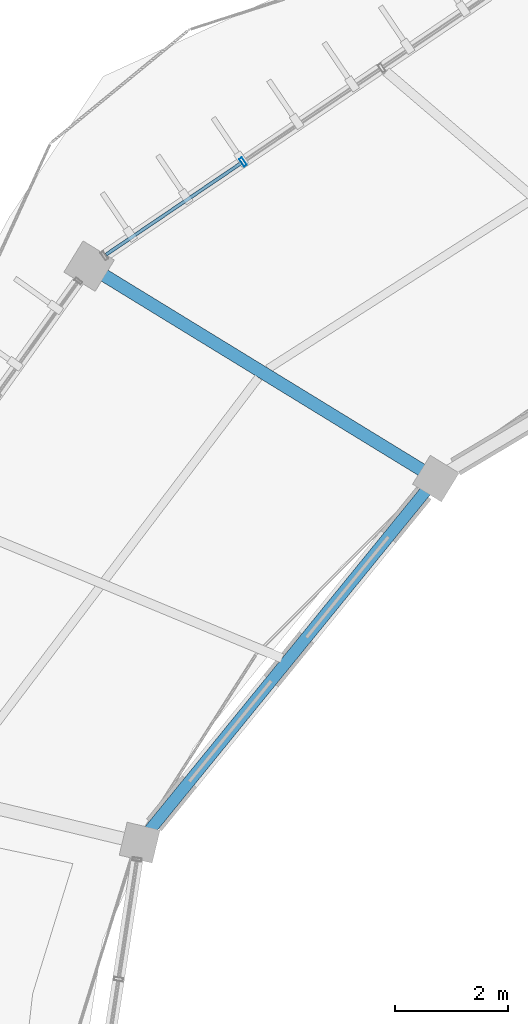
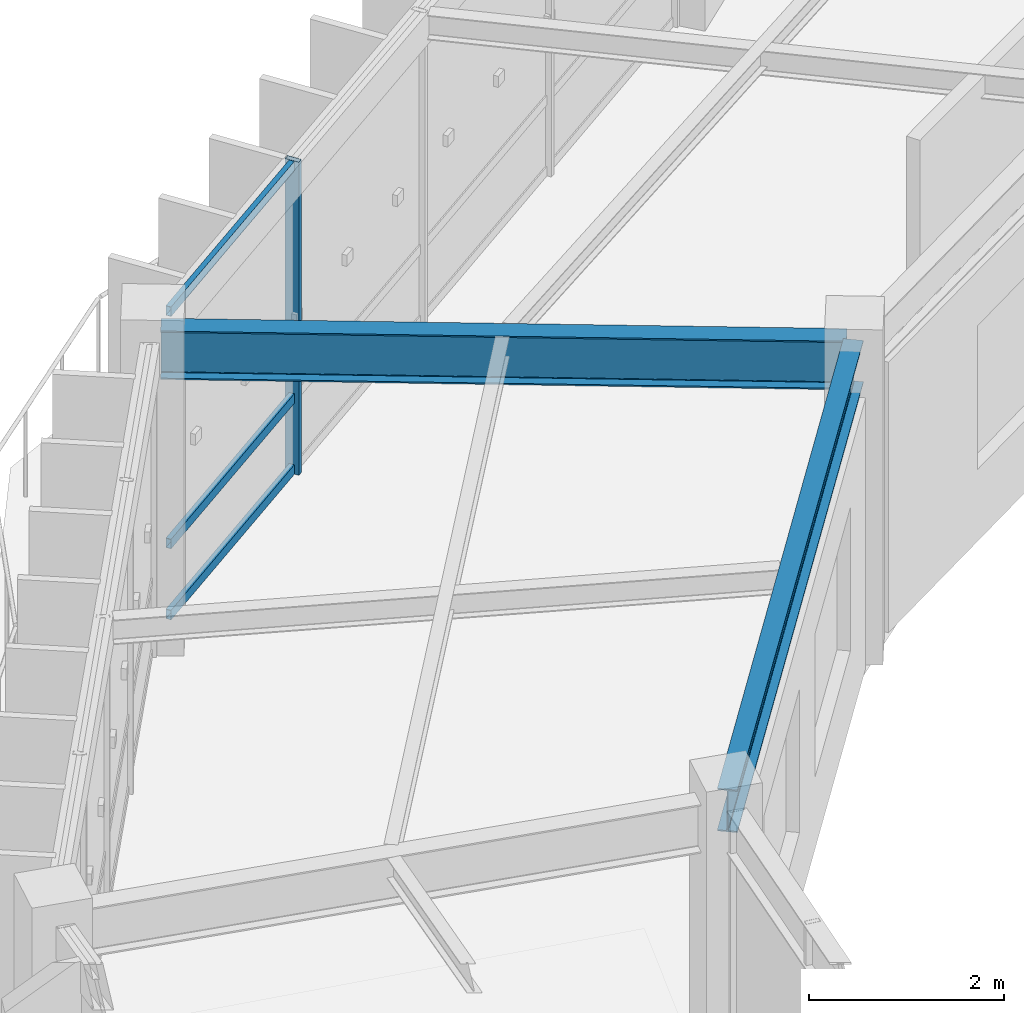
# One storey, part 39 of 114: 4 members, 2 beams, 1 element without a shape of its own.
"""IFC4 building model written with IfcOpenShell, lengths in metres."""

import ifcopenshell
import ifcopenshell.guid

model = None  # the IFC model being written
_history = None  # IfcOwnerHistory: only IFC2X3 demands one
_inside = {}  # id of a spatial element -> (the spatial element, [elements in it])
_under = {}  # id of a project, library or spatial element -> (it, [spatial elements below it])
_declared = {}  # id of a project -> (the project, [libraries it declares])
_typed = {}  # id of a type object -> (the type object, [elements of that type])
_made_of = {}  # id of a material, layer set ... -> (it, [elements and type objects made of it])


def new_model(schema):
    """Start an empty IFC model of exactly this schema.

    Asked for "IFC4X3", IfcOpenShell would pick the latest addendum, in which some entities
    have other attributes; the version numbers below select the first issue.
    IFC2X3 requires an IfcOwnerHistory on every rooted entity: one is made here for all.
    """
    global model, _history
    if schema == "IFC4X3":
        model = ifcopenshell.file(schema_version=(4, 3, 0, 0))
    else:
        model = ifcopenshell.file(schema=schema)
    _inside.clear()
    _under.clear()
    _declared.clear()
    _typed.clear()
    _made_of.clear()
    _history = None
    if model.schema == "IFC2X3":
        org = make("IfcOrganization", Name="unknown")
        user = make(
            "IfcPersonAndOrganization",
            ThePerson=make("IfcPerson", FamilyName="unknown"),
            TheOrganization=org,
        )
        app = make(
            "IfcApplication",
            ApplicationDeveloper=org,
            Version="unknown",
            ApplicationFullName="unknown",
            ApplicationIdentifier="unknown",
        )
        _history = make(
            "IfcOwnerHistory",
            OwningUser=user,
            OwningApplication=app,
            ChangeAction="ADDED",
            CreationDate=0,
        )
    return model


def make(cls, **values):
    """One entity of the class cls with the attributes given. An attribute that is None is left unset."""
    return model.create_entity(
        cls, **{name: value for name, value in values.items() if value is not None}
    )


def rooted(cls, **values):
    """An entity with a GlobalId (a new one), such as an element, a storey or a relation."""
    return make(cls, GlobalId=ifcopenshell.guid.new(), OwnerHistory=_history, **values)


def si_unit(unit_type, name, prefix=None):
    """IfcSIUnit, for example si_unit("LENGTHUNIT", "METRE", prefix="MILLI")."""
    return make("IfcSIUnit", UnitType=unit_type, Prefix=prefix, Name=name)


def assignment(units):
    """IfcUnitAssignment: the units of a project."""
    return None if units is None else make("IfcUnitAssignment", Units=units)


def point(xyz):
    """IfcCartesianPoint."""
    return None if xyz is None else make("IfcCartesianPoint", Coordinates=xyz)


def direction(xyz):
    """IfcDirection."""
    return None if xyz is None else make("IfcDirection", DirectionRatios=xyz)


def frame(location, z_axis=None, x_axis=None):
    """IfcAxis2Placement3D, a coordinate frame: its origin and axes. An axis left out is left unset."""
    return make(
        "IfcAxis2Placement3D",
        Location=point(location),
        Axis=direction(z_axis),
        RefDirection=direction(x_axis),
    )


def frame_2d(location, x_axis=None):
    """IfcAxis2Placement2D, a coordinate frame in the plane: its origin and x axis."""
    return make(
        "IfcAxis2Placement2D", Location=point(location), RefDirection=direction(x_axis)
    )


def origin():
    """The frame at (0, 0, 0) with its axes left unset."""
    return frame((0.0, 0.0, 0.0))


def origin_2d():
    """The frame at (0, 0) in the plane with its x axis left unset."""
    return frame_2d((0.0, 0.0))


def place(relative_to, where):
    """IfcLocalPlacement: puts the frame where relative to a parent placement (None: the world)."""
    return make(
        "IfcLocalPlacement", PlacementRelTo=relative_to, RelativePlacement=where
    )


def context(
    kind, dimensions, precision=None, world=None, true_north=None, identifier=None
):
    """IfcGeometricRepresentationContext, for example the 3D "Model" context."""
    return make(
        "IfcGeometricRepresentationContext",
        ContextIdentifier=identifier,
        ContextType=kind,
        CoordinateSpaceDimension=dimensions,
        Precision=precision,
        WorldCoordinateSystem=world,
        TrueNorth=true_north,
    )


def subcontext(parent, identifier, kind, view, scale=None):
    """IfcGeometricRepresentationSubContext, for example "Body" below "Model"."""
    return make(
        "IfcGeometricRepresentationSubContext",
        ContextIdentifier=identifier,
        ContextType=kind,
        ParentContext=parent,
        TargetScale=scale,
        TargetView=view,
    )


def project(units=None, contexts=None):
    """IfcProject with its units and contexts."""
    return rooted(
        "IfcProject",
        Name="project",
        RepresentationContexts=contexts,
        UnitsInContext=assignment(units),
    )


def spatial(cls, under=None, at=None, **own):
    """A site, building, storey or space (cls), placed at a placement, below another one or the project."""
    s = rooted(cls, ObjectPlacement=at, **own)
    if under is not None:
        _under.setdefault(under.id(), (under, []))[1].append(s)
    return s


def profile(cls, at=None, kind="AREA", **sizes):
    """A parametric profile (cls). Its sizes go by their IFC names, for example OverallWidth=200.0."""
    return make(cls, ProfileType=kind, Position=at, **sizes)


def hollow_rectangle(**sizes):
    """IfcRectangleHollowProfileDef."""
    return profile("IfcRectangleHollowProfileDef", **sizes)


def i_section(**sizes):
    """IfcIShapeProfileDef."""
    return profile("IfcIShapeProfileDef", **sizes)


def extrude(swept, where, along, depth):
    """IfcExtrudedAreaSolid: the profile swept, set in the frame where, extruded along a direction by depth."""
    return make(
        "IfcExtrudedAreaSolid",
        SweptArea=swept,
        Position=where,
        ExtrudedDirection=direction(along),
        Depth=depth,
    )


def shape(context_of_items, identifier, shape_type, items):
    """IfcShapeRepresentation: the items that make up one representation, for example the "Body"."""
    return make(
        "IfcShapeRepresentation",
        ContextOfItems=context_of_items,
        RepresentationIdentifier=identifier,
        RepresentationType=shape_type,
        Items=items,
    )


def material(Name=None, Category=None):
    """IfcMaterial."""
    return make("IfcMaterial", Name=Name, Category=Category)


def material_profile(
    of_material, cross_section, Name=None, Category=None, Priority=None
):
    """IfcMaterialProfile: a cross section and its material."""
    return make(
        "IfcMaterialProfile",
        Name=Name,
        Material=of_material,
        Profile=cross_section,
        Priority=Priority,
        Category=Category,
    )


def profile_set(profiles, Name=None, composite=None):
    """IfcMaterialProfileSet."""
    return make(
        "IfcMaterialProfileSet",
        Name=Name,
        MaterialProfiles=profiles,
        CompositeProfile=composite,
    )


def made_of(thing, what):
    """Note that an element or type object is made of a material, layer set ...; save() writes the relation."""
    if what is not None:
        _made_of.setdefault(what.id(), (what, []))[1].append(thing)
    return thing


def type_object(cls, material=None, **own):
    """A type object (cls), such as IfcWallType, which elements share."""
    return made_of(rooted(cls, **own), material)


def element(
    cls,
    number,
    at=None,
    inside=None,
    cuts=None,
    type_object=None,
    material=None,
    context=None,
    identifier="Body",
    shape_type=None,
    held_by="IfcProductDefinitionShape",
    body=None,
    shapes=None,
    **own,
):
    """One element of the class cls, such as IfcWall. Its Tag is "e" and its number.

    at: its placement. inside: the storey or other place that contains it. cuts: it is an
    opening in that element (IfcRelVoidsElement). A single representation is given by context,
    identifier, shape_type and body (its items); several are given by shapes. held_by: the class
    of the entity that holds the representations. save() writes the other relations.
    """
    e = rooted(cls, Tag="e%d" % number, ObjectPlacement=at, **own)
    if body is not None:
        shapes = [shape(context, identifier, shape_type, body)]
    if shapes is not None:
        e.Representation = make(held_by, Representations=shapes)
    if inside is not None:
        _inside.setdefault(inside.id(), (inside, []))[1].append(e)
    if cuts is not None:
        rooted(
            "IfcRelVoidsElement", RelatingBuildingElement=cuts, RelatedOpeningElement=e
        )
    if type_object is not None:
        _typed.setdefault(type_object.id(), (type_object, []))[1].append(e)
    return made_of(e, material)


def aggregate(whole, parts):
    """IfcRelAggregates: a whole, such as a stair, and the parts it consists of."""
    return rooted("IfcRelAggregates", RelatingObject=whole, RelatedObjects=parts)


def save(model, path):
    """Write the relations noted so far, then the file.

    IfcRelAggregates (storeys below a building ...), IfcRelContainedInSpatialStructure (elements
    in a storey), IfcRelDefinesByType, IfcRelAssociatesMaterial and IfcRelDeclares: one each for
    every whole, place, type object, material and project.
    """
    for whole, parts in _under.values():
        aggregate(whole, parts)
    for where, things in _inside.values():
        rooted(
            "IfcRelContainedInSpatialStructure",
            RelatedElements=things,
            RelatingStructure=where,
        )
    for kind, things in _typed.values():
        rooted("IfcRelDefinesByType", RelatedObjects=things, RelatingType=kind)
    for what, things in _made_of.values():
        rooted("IfcRelAssociatesMaterial", RelatedObjects=things, RelatingMaterial=what)
    for by, libraries in _declared.values():
        rooted("IfcRelDeclares", RelatingContext=by, RelatedDefinitions=libraries)
    model.write(path)


model = new_model("IFC4")

# Units and contexts
model_context = context("Model", 3, precision=1e-05, world=origin(), true_north=direction((0.0, 1.0)))
body_context = subcontext(model_context, "Body", "Model", "MODEL_VIEW")
ifc_project = project(units=[si_unit("LENGTHUNIT", "METRE"), si_unit("AREAUNIT", "SQUARE_METRE"), si_unit("VOLUMEUNIT", "CUBIC_METRE"), si_unit("PLANEANGLEUNIT", "RADIAN"), si_unit("MASSUNIT", "GRAM", prefix="KILO"), si_unit("THERMODYNAMICTEMPERATUREUNIT", "KELVIN"), si_unit("POWERUNIT", "WATT")], contexts=[model_context])

# Site, building, storey
site_placement = place(None, origin())
site = spatial("IfcSite", under=ifc_project, at=site_placement, CompositionType="ELEMENT")
building_placement = place(site_placement, origin())
building = spatial("IfcBuilding", under=site, at=building_placement, Name="Darbajah Civic Hall", CompositionType="ELEMENT")
storey_placement = place(building_placement, frame((0.0, 0.0, 13.800048828125)))
storey = spatial("IfcBuildingStorey", under=building, at=storey_placement, Name="L03", CompositionType="ELEMENT", Elevation=13.800048828125)

# Curtain wall, members
ifc_material_1 = material(Name="Anodised Bronze Aluminium and Low-E Glazing", Category="aluminium")
curtain_wall_type = type_object("IfcCurtainWallType", Name="Unitised Curtain Wall CW-58 11900x3900", PredefinedType="USERDEFINED", material=ifc_material_1)
curtain_wall_placement = place(storey_placement, origin())
curtain_wall = element("IfcCurtainWall", 1, at=curtain_wall_placement, inside=storey, type_object=curtain_wall_type, Name="L03 unitised curtain wall CW-V1O-L03-07", ObjectType="UNITISED CURTAIN WALL", PredefinedType="USERDEFINED")
ifc_material_2 = material(Name="Anodised Bronze Aluminium", Category="aluminium")
ifc_material_profile_1 = material_profile(ifc_material_2, hollow_rectangle(XDim=0.06005859375, YDim=0.159912109375, WallThickness=0.00341796875, at=origin_2d()), Name="ALU MULLION 60x160")
ifc_profile_set_1 = profile_set([ifc_material_profile_1], Name="Anodised Bronze Aluminium")
member_type_1 = type_object("IfcMemberType", Name="ALU MULLION 60x160", PredefinedType="MULLION", material=ifc_profile_set_1)
member_1_placement = place(storey_placement, frame((48.34130859375, 107.06005859375, 0.0), z_axis=(0.0, 0.0, 1.0), x_axis=(-0.827962472047, -0.560783509816, 0.0)))
member_1 = element("IfcMember", 2, at=member_1_placement, type_object=member_type_1, Name="CW-V1O-L03-07 mullion 4", PredefinedType="MULLION", context=body_context, shape_type="SweptSolid", body=[
    extrude(hollow_rectangle(XDim=0.06005859375, YDim=0.159912109375, WallThickness=0.00341796875, at=origin_2d()), origin(), (0.0, 0.0, 1.0), 3.919921875),
])
ifc_material_profile_2 = material_profile(ifc_material_2, hollow_rectangle(XDim=0.06005859375, YDim=0.1201171875, WallThickness=0.003173828125, at=origin_2d()), Name="ALU TRANSOM 60x120")
ifc_profile_set_2 = profile_set([ifc_material_profile_2], Name="Anodised Bronze Aluminium")
member_type_2 = type_object("IfcMemberType", Name="ALU TRANSOM 60x120", PredefinedType="USERDEFINED", material=ifc_profile_set_2)
member_2_placement = place(storey_placement, frame((48.3125, 107.040283203125, 0.06005859375), z_axis=(-0.828007088268, -0.560717631057, 0.0), x_axis=(0.560717631057, -0.828007088268, 0.0)))
member_2 = element("IfcMember", 3, at=member_2_placement, type_object=member_type_2, Name="CW-V1O-L03-07 transom 4.1", ObjectType="TRANSOM", PredefinedType="USERDEFINED", context=body_context, shape_type="SweptSolid", body=[
    extrude(hollow_rectangle(XDim=0.06005859375, YDim=0.1201171875, WallThickness=0.003173828125, at=origin_2d()), origin(), (0.0, 0.0, 1.0), 2.8955078125),
])
member_3_placement = place(storey_placement, frame((48.3125, 107.040283203125, 0.949951171875), z_axis=(-0.828007088268, -0.560717631057, 0.0), x_axis=(0.560717631057, -0.828007088268, 0.0)))
member_3 = element("IfcMember", 4, at=member_3_placement, type_object=member_type_2, Name="CW-V1O-L03-07 transom 4.2", ObjectType="TRANSOM", PredefinedType="USERDEFINED", context=body_context, shape_type="SweptSolid", body=[
    extrude(hollow_rectangle(XDim=0.06005859375, YDim=0.1201171875, WallThickness=0.003173828125, at=origin_2d()), origin(), (0.0, 0.0, 1.0), 2.8955078125),
])
member_4_placement = place(storey_placement, frame((48.3125, 107.040283203125, 3.85986328125), z_axis=(-0.828007088268, -0.560717631057, 0.0), x_axis=(0.560717631057, -0.828007088268, 0.0)))
member_4 = element("IfcMember", 5, at=member_4_placement, type_object=member_type_2, Name="CW-V1O-L03-07 transom 4.3", ObjectType="TRANSOM", PredefinedType="USERDEFINED", context=body_context, shape_type="SweptSolid", body=[
    extrude(hollow_rectangle(XDim=0.06005859375, YDim=0.1201171875, WallThickness=0.003173828125, at=origin_2d()), origin(), (0.0, 0.0, 1.0), 2.8955078125),
])
aggregate(curtain_wall, [member_1, member_2, member_3, member_4])

# Beams
ifc_material_3 = material(Name="Steel S355JR", Category="steel")
ifc_material_profile_3 = material_profile(ifc_material_3, i_section(OverallWidth=0.209228515625, OverallDepth=0.533203125, WebThickness=0.010009765625, FlangeThickness=0.015625, FilletRadius=0.0126953125, at=origin_2d()), Name="UB 533x210x92")
ifc_profile_set_3 = profile_set([ifc_material_profile_3], Name="Steel S355JR")
beam_type_1 = type_object("IfcBeamType", Name="UB 533x210x92", PredefinedType="BEAM", material=ifc_profile_set_3)
beam_1_placement = place(storey_placement, frame((51.703857421875, 101.3896484375, 3.653564453125), z_axis=(-0.63108196788, -0.775716152866, 0.0), x_axis=(0.775716152866, -0.63108196788, 0.0)))
element("IfcBeam", 6, at=beam_1_placement, inside=storey, type_object=beam_type_1, Name="L03 beam SB-533", PredefinedType="BEAM", context=body_context, shape_type="SweptSolid", body=[
    extrude(i_section(OverallWidth=0.209228515625, OverallDepth=0.533203125, WebThickness=0.010009765625, FlangeThickness=0.015625, FilletRadius=0.0126953125, at=origin_2d()), origin(), (0.0, 0.0, 1.0), 8.149658203125),
])
ifc_material_profile_4 = material_profile(ifc_material_3, i_section(OverallWidth=0.228271484375, OverallDepth=0.607666015625, WebThickness=0.010986328125, FlangeThickness=0.017333984375, FilletRadius=0.0126953125, at=origin_2d()), Name="UB 610x229x113")
ifc_profile_set_4 = profile_set([ifc_material_profile_4], Name="Steel S355JR")
beam_type_2 = type_object("IfcBeamType", Name="UB 610x229x113", PredefinedType="BEAM", material=ifc_profile_set_4)
beam_2_placement = place(storey_placement, frame((51.686279296875, 101.493408203125, 3.6162109375), z_axis=(-0.852639128905, 0.522500254411, 0.0), x_axis=(-0.522500254411, -0.852639128905, 0.0)))
element("IfcBeam", 7, at=beam_2_placement, inside=storey, type_object=beam_type_2, Name="L03 beam SB-610", PredefinedType="BEAM", context=body_context, shape_type="SweptSolid", body=[
    extrude(i_section(OverallWidth=0.228271484375, OverallDepth=0.607666015625, WebThickness=0.010986328125, FlangeThickness=0.017333984375, FilletRadius=0.0126953125, at=origin_2d()), origin(), (0.0, 0.0, 1.0), 7.0400390625),
])

save(model, "model.ifc")
